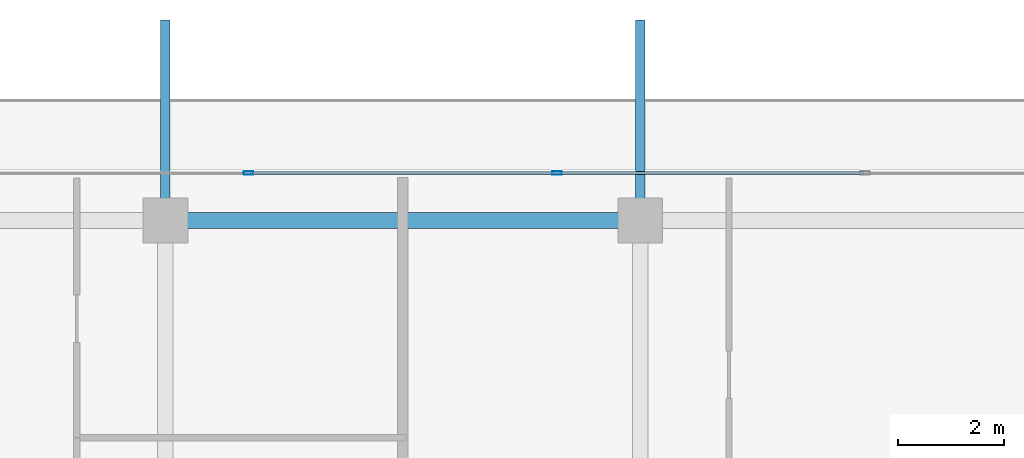
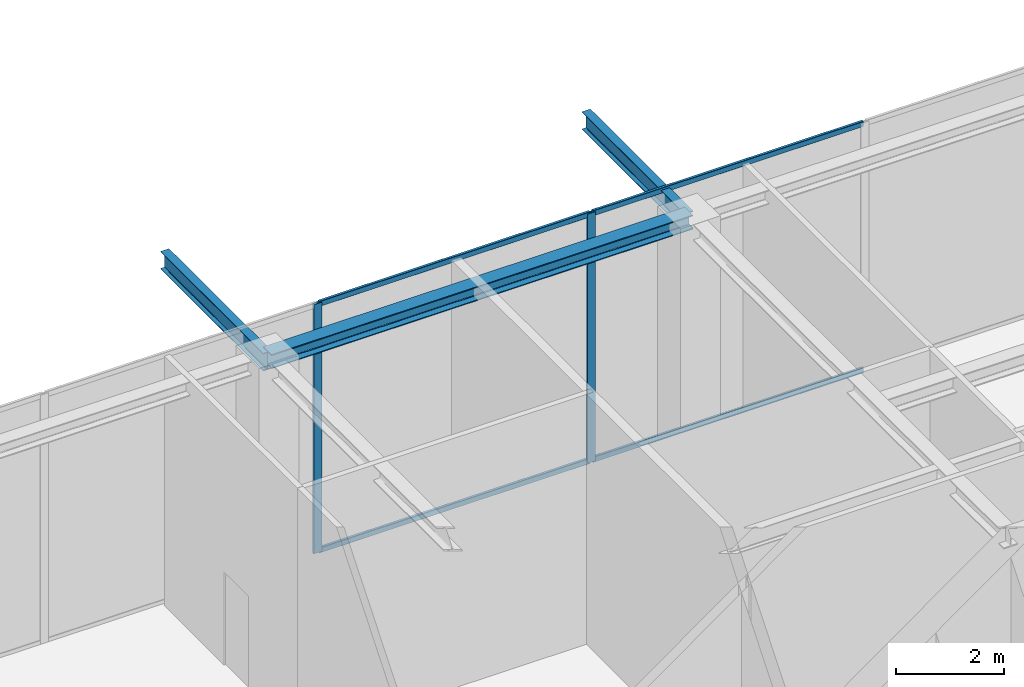
# One storey, part 21 of 38: 6 members, 3 beams, 1 element without a shape of its own.
"""IFC4 building model written with IfcOpenShell, lengths in metres."""

from ifc_helpers import new_model, si_unit, direction, frame, origin, origin_2d, place, context, subcontext, project, spatial, hollow_rectangle, i_section, extrude, source, transform, mapped, material, layer, layer_set, material_profile, profile_set, type_object, element, aggregate, save


model = new_model("IFC4")

# Units and contexts
model_context = context("Model", 3, precision=1e-05, world=origin(), true_north=direction((0.0, 1.0)))
body_context = subcontext(model_context, "Body", "Model", "MODEL_VIEW")
ifc_project = project(units=[si_unit("LENGTHUNIT", "METRE"), si_unit("AREAUNIT", "SQUARE_METRE"), si_unit("VOLUMEUNIT", "CUBIC_METRE"), si_unit("PLANEANGLEUNIT", "RADIAN"), si_unit("MASSUNIT", "GRAM", prefix="KILO")], contexts=[model_context])

# Site, building, storey
site_placement = place(None, origin())
site = spatial("IfcSite", under=ifc_project, at=site_placement, CompositionType="ELEMENT")
building_placement = place(site_placement, origin())
building = spatial("IfcBuilding", under=site, at=building_placement, Name="Serunith Strait Residences", CompositionType="ELEMENT")
storey_placement = place(building_placement, frame((0.0, 0.0, 342.050048828125)))
storey = spatial("IfcBuildingStorey", under=building, at=storey_placement, Name="L85", CompositionType="ELEMENT", Elevation=342.050048828125)

# Beams
ifc_material_1 = material(Name="Steel S355J2", Category="steel")
ifc_material_profile_1 = material_profile(ifc_material_1, i_section(OverallWidth=0.300048828125, OverallDepth=0.320068359375, WebThickness=0.011474609375, FlangeThickness=0.0205078125, FilletRadius=0.027099609375, at=origin_2d()), Name="HEB 320")
ifc_profile_set_1 = profile_set([ifc_material_profile_1], Name="Steel S355J2")
beam_type_1 = type_object("IfcBeamType", Name="BM-HEB320", PredefinedType="BEAM", material=ifc_profile_set_1)
shared_shape_1 = source(origin(), body_context, "Body", "SweptSolid", [
    extrude(i_section(OverallWidth=0.300048828125, OverallDepth=0.320068359375, WebThickness=0.011474609375, FlangeThickness=0.0205078125, FilletRadius=0.027099609375, at=origin_2d()), origin(), (0.0, 0.0, 1.0), 9.0),
])
beam_placement = place(storey_placement, frame((36.89990234375, 45.5, 5.47705078125), z_axis=(-1.0, 0.0, 0.0), x_axis=(0.0, -1.0, 0.0)))
element("IfcBeam", 1, at=beam_placement, inside=storey, type_object=beam_type_1, Name="L85 Perimeter Ring Beam 10", PredefinedType="BEAM", context=body_context, shape_type="MappedRepresentation", body=[
    mapped(shared_shape_1, transform((0.0, 0.0, 0.0), scale=1.0)),
])
ifc_material_profile_2 = material_profile(ifc_material_1, i_section(OverallWidth=0.179931640625, OverallDepth=0.39990234375, WebThickness=0.008544921875, FlangeThickness=0.013427734375, FilletRadius=0.02099609375, at=origin_2d()), Name="IPE 400")
ifc_profile_set_2 = profile_set([ifc_material_profile_2], Name="Steel S355J2")
beam_type_2 = type_object("IfcBeamType", Name="BM-IPE400", PredefinedType="JOIST", material=ifc_profile_set_2)
shared_shape_2 = source(origin(), body_context, "Body", "SweptSolid", [
    extrude(i_section(OverallWidth=0.179931640625, OverallDepth=0.39990234375, WebThickness=0.008544921875, FlangeThickness=0.013427734375, FilletRadius=0.02099609375, at=origin_2d()), origin(), (0.0, 0.0, 1.0), 3.800048828125),
])
for number, where, z_axis, x_axis, name in (
    (2, (27.89990234375, 45.5, 5.406982421875), (0.0, 1.0, 0.0), (-1.0, 0.0, 0.0), "L86 Cantilevered Balcony Rib TC-N2"),
    (3, (36.89990234375, 45.5, 5.406982421875), (0.0, 1.0, 0.0), (-1.0, 0.0, 0.0), "L86 Cantilevered Balcony Rib TC-N3"),
):
    element("IfcBeam", number, at=place(storey_placement, frame(where, z_axis=z_axis, x_axis=x_axis)), inside=storey, type_object=beam_type_2, Name=name, PredefinedType="JOIST", context=body_context, shape_type="MappedRepresentation", body=[
        mapped(shared_shape_2, transform((0.0, 0.0, 0.0), scale=1.0)),
    ])

# Curtain wall, members
ifc_material_2 = material(Name="Brushed Stainless-Silver Aluminium", Category="aluminium")
ifc_layer = layer(ifc_material_2, 0.199951171875, Name="Brushed Stainless-Silver Aluminium")
ifc_layer_set = layer_set([ifc_layer], Name="Brushed Stainless-Silver Aluminium")
curtain_wall_type = type_object("IfcCurtainWallType", Name="CW-SYS5", PredefinedType="NOTDEFINED", material=ifc_layer_set)
curtain_wall_placement = place(storey_placement, origin())
curtain_wall = element("IfcCurtainWall", 4, at=curtain_wall_placement, inside=storey, type_object=curtain_wall_type, Name="L85 N Unitised Fritted Curtain Wall", PredefinedType="NOTDEFINED")
ifc_material_profile_3 = material_profile(ifc_material_2, hollow_rectangle(XDim=0.06005859375, YDim=0.1201171875, WallThickness=0.00341796875, InnerFilletRadius=0.00537109375, OuterFilletRadius=0.0087890625, at=origin_2d()), Name="ALU 120x60x3.5")
ifc_profile_set_3 = profile_set([ifc_material_profile_3], Name="Brushed Stainless-Silver Aluminium")
member_type_1 = type_object("IfcMemberType", Name="CW-SYS5-TRAN", PredefinedType="USERDEFINED", material=ifc_profile_set_3)
shared_shape_3 = source(origin(), body_context, "Body", "SweptSolid", [
    extrude(hollow_rectangle(XDim=0.06005859375, YDim=0.1201171875, WallThickness=0.00341796875, InnerFilletRadius=0.00537109375, OuterFilletRadius=0.0087890625, at=origin_2d()), origin(), (0.0, 0.0, 1.0), 5.77490234375),
])
member_1_placement = place(storey_placement, frame((41.12744140625, 46.39990234375, 0.030029296875), z_axis=(-1.0, 0.0, 0.0), x_axis=(0.0, -1.0, 0.0)))
member_1 = element("IfcMember", 5, at=member_1_placement, type_object=member_type_1, Name="CW-5 transom 2.1", ObjectType="TRANSOM", PredefinedType="USERDEFINED", context=body_context, shape_type="MappedRepresentation", body=[
    mapped(shared_shape_3, transform((0.0, 0.0, 0.0), scale=1.0)),
])
member_2_placement = place(storey_placement, frame((41.12744140625, 46.39990234375, 5.594970703125), z_axis=(-1.0, 0.0, 0.0), x_axis=(0.0, -1.0, 0.0)))
member_2 = element("IfcMember", 6, at=member_2_placement, type_object=member_type_1, Name="CW-5 transom 2.2", ObjectType="TRANSOM", PredefinedType="USERDEFINED", context=body_context, shape_type="MappedRepresentation", body=[
    mapped(shared_shape_3, transform((0.0, 0.0, 0.0), scale=1.0)),
])
shared_shape_4 = source(origin(), body_context, "Body", "SweptSolid", [
    extrude(hollow_rectangle(XDim=0.06005859375, YDim=0.1201171875, WallThickness=0.00341796875, InnerFilletRadius=0.00537109375, OuterFilletRadius=0.0087890625, at=origin_2d()), origin(), (0.0, 0.0, 1.0), 5.775146484375),
])
member_3_placement = place(storey_placement, frame((35.28759765625, 46.39990234375, 0.030029296875), z_axis=(-1.0, 0.0, 0.0), x_axis=(0.0, -1.0, 0.0)))
member_3 = element("IfcMember", 7, at=member_3_placement, type_object=member_type_1, Name="CW-5 transom 3.1", ObjectType="TRANSOM", PredefinedType="USERDEFINED", context=body_context, shape_type="MappedRepresentation", body=[
    mapped(shared_shape_4, transform((0.0, 0.0, 0.0), scale=1.0)),
])
member_4_placement = place(storey_placement, frame((35.28759765625, 46.39990234375, 5.594970703125), z_axis=(-1.0, 0.0, 0.0), x_axis=(0.0, -1.0, 0.0)))
member_4 = element("IfcMember", 8, at=member_4_placement, type_object=member_type_1, Name="CW-5 transom 3.2", ObjectType="TRANSOM", PredefinedType="USERDEFINED", context=body_context, shape_type="MappedRepresentation", body=[
    mapped(shared_shape_4, transform((0.0, 0.0, 0.0), scale=1.0)),
])
ifc_material_profile_4 = material_profile(ifc_material_2, hollow_rectangle(XDim=0.06494140625, YDim=0.179931640625, WallThickness=0.00341796875, InnerFilletRadius=0.00537109375, OuterFilletRadius=0.0087890625, at=origin_2d()), Name="ALU 180x65x3.5")
ifc_profile_set_4 = profile_set([ifc_material_profile_4], Name="Brushed Stainless-Silver Aluminium")
member_type_2 = type_object("IfcMemberType", Name="CW-SYS5-MULL", PredefinedType="MULLION", material=ifc_profile_set_4)
shared_shape_5 = source(origin(), body_context, "Body", "SweptSolid", [
    extrude(hollow_rectangle(XDim=0.06494140625, YDim=0.179931640625, WallThickness=0.00341796875, InnerFilletRadius=0.00537109375, OuterFilletRadius=0.0087890625, at=origin_2d()), origin(), (0.0, 0.0, 1.0), 5.625),
])
member_5_placement = place(storey_placement, frame((35.320068359375, 46.39990234375, 0.0), z_axis=(0.0, 0.0, 1.0), x_axis=(0.0, -1.0, 0.0)))
member_5 = element("IfcMember", 9, at=member_5_placement, type_object=member_type_2, Name="CW-5 mullion 3", PredefinedType="MULLION", context=body_context, shape_type="MappedRepresentation", body=[
    mapped(shared_shape_5, transform((0.0, 0.0, 0.0), scale=1.0)),
])
member_6_placement = place(storey_placement, frame((29.47998046875, 46.39990234375, 0.0), z_axis=(0.0, 0.0, 1.0), x_axis=(0.0, -1.0, 0.0)))
member_6 = element("IfcMember", 10, at=member_6_placement, type_object=member_type_2, Name="CW-5 mullion 4", PredefinedType="MULLION", context=body_context, shape_type="MappedRepresentation", body=[
    mapped(shared_shape_5, transform((0.0, 0.0, 0.0), scale=1.0)),
])
aggregate(curtain_wall, [member_5, member_6, member_1, member_2, member_3, member_4])

save(model, "model.ifc")
